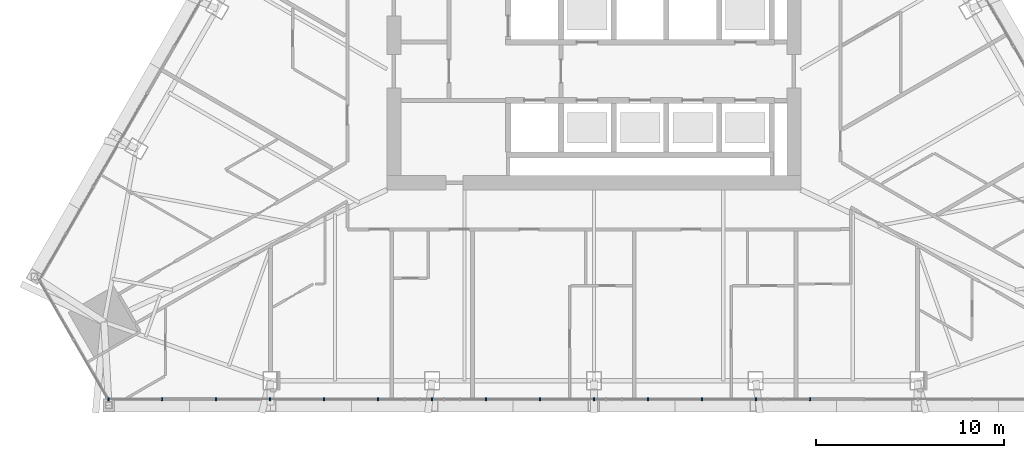
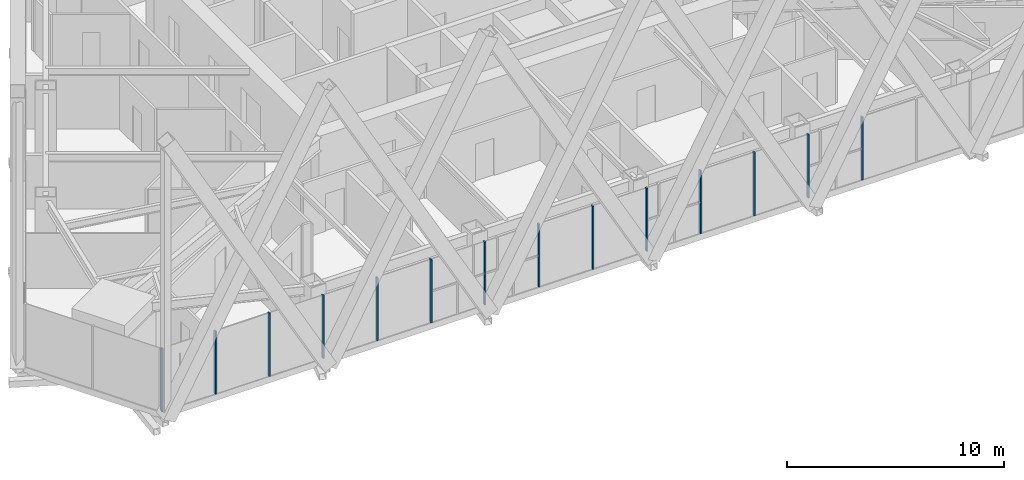
# One storey, part 3 of 23: 14 members, 2 openings, 1 element without a shape of its own.
"""IFC4 building model written with IfcOpenShell, lengths in metres."""

from ifc_helpers import new_model, si_unit, direction, frame, frame_2d, origin, origin_2d, place, context, subcontext, project, spatial, rectangle, extrude, material, layer, layer_set, material_profile, profile_set, type_object, element, aggregate, save


model = new_model("IFC4")

# Units and contexts
model_context = context("Model", 3, precision=1e-05, world=origin(), true_north=direction((0.0, 1.0)))
body_context = subcontext(model_context, "Body", "Model", "MODEL_VIEW")
ifc_project = project(units=[si_unit("LENGTHUNIT", "METRE"), si_unit("AREAUNIT", "SQUARE_METRE"), si_unit("VOLUMEUNIT", "CUBIC_METRE"), si_unit("PLANEANGLEUNIT", "RADIAN"), si_unit("MASSUNIT", "GRAM", prefix="KILO")], contexts=[model_context])

# Site, building, storey
site_placement = place(None, origin())
site = spatial("IfcSite", under=ifc_project, at=site_placement, CompositionType="ELEMENT")
building_placement = place(site_placement, origin())
building = spatial("IfcBuilding", under=site, at=building_placement, Name="Firuza Gate Tower and Library", CompositionType="ELEMENT")
storey_placement = place(building_placement, frame((0.0, 0.0, 202.60009765625)))
storey = spatial("IfcBuildingStorey", under=building, at=storey_placement, Name="L47", CompositionType="ELEMENT", Elevation=202.60009765625)

# Curtain wall, openings, members
ifc_material_1 = material(Name="Aluminium 6063-T6", Category="aluminium")
ifc_layer = layer(ifc_material_1, 0.14990234375)
ifc_layer_set = layer_set([ifc_layer], Name="Unitised curtain wall, hotel")
curtain_wall_type = type_object("IfcCurtainWallType", Name="Unitised curtain wall, hotel", PredefinedType="NOTDEFINED", material=ifc_layer_set)
curtain_wall_placement = place(storey_placement, origin())
curtain_wall = element("IfcCurtainWall", 1, at=curtain_wall_placement, inside=storey, type_object=curtain_wall_type, Name="CW2 L47 S face", PredefinedType="NOTDEFINED")
opening_1_placement = place(curtain_wall_placement, frame((52.0849609375, 55.88330078125, 0.14990234375), z_axis=(0.0, 0.0, 1.0), x_axis=(1.0, 0.0, 0.0)))
element("IfcOpeningElement", 2, at=opening_1_placement, cuts=curtain_wall, Name="Opening WD1-003", PredefinedType="OPENING", context=body_context, shape_type="SweptSolid", body=[
    extrude(rectangle(XDim=2.789306640625, YDim=3.550048828125, at=frame_2d((1.39453125, 1.77490234375))), frame((0.0, 0.0849609375, 0.0), z_axis=(0.0, -1.0, 0.0), x_axis=(1.0, 0.0, 0.0)), (0.0, 0.0, 1.0), 0.169921875),
])
opening_2_placement = place(curtain_wall_placement, frame((86.517578125, 55.88330078125, 0.14990234375), z_axis=(0.0, 0.0, 1.0), x_axis=(1.0, 0.0, 0.0)))
element("IfcOpeningElement", 3, at=opening_2_placement, cuts=curtain_wall, Name="Opening WD1-004", PredefinedType="OPENING", context=body_context, shape_type="SweptSolid", body=[
    extrude(rectangle(XDim=2.789306640625, YDim=3.550048828125, at=frame_2d((1.39453125, 1.77490234375))), frame((0.0, 0.0849609375, 0.0), z_axis=(0.0, -1.0, 0.0), x_axis=(1.0, 0.0, 0.0)), (0.0, 0.0, 1.0), 0.169921875),
])
ifc_material_2 = material(Name="Aluminium 6063-T6", Category="aluminium")
ifc_material_profile = material_profile(ifc_material_2, rectangle(XDim=0.14990234375, YDim=0.080078125, at=origin_2d()))
ifc_profile_set = profile_set([ifc_material_profile], Name="Aluminium 6063-T6")
member_type = type_object("IfcMemberType", Name="Curtain wall mullion 80x150", PredefinedType="MULLION", material=ifc_profile_set)
member_1_placement = place(storey_placement, frame((49.215576171875, 55.88330078125, 0.14990234375), z_axis=(0.0, 0.0, 1.0), x_axis=(0.0, 1.0, 0.0)))
member_1 = element("IfcMember", 4, at=member_1_placement, type_object=member_type, Name="Mullion", PredefinedType="MULLION", context=body_context, shape_type="SweptSolid", body=[
    extrude(rectangle(XDim=0.14990234375, YDim=0.080078125, at=origin_2d()), origin(), (0.0, 0.0, 1.0), 3.550048828125),
])
member_2_placement = place(storey_placement, frame((52.044921875, 55.88330078125, 0.14990234375), z_axis=(0.0, 0.0, 1.0), x_axis=(0.0, 1.0, 0.0)))
member_2 = element("IfcMember", 5, at=member_2_placement, type_object=member_type, Name="Mullion", PredefinedType="MULLION", context=body_context, shape_type="SweptSolid", body=[
    extrude(rectangle(XDim=0.14990234375, YDim=0.080078125, at=origin_2d()), origin(), (0.0, 0.0, 1.0), 3.550048828125),
])
member_3_placement = place(storey_placement, frame((54.914306640625, 55.88330078125, 0.14990234375), z_axis=(0.0, 0.0, 1.0), x_axis=(0.0, 1.0, 0.0)))
member_3 = element("IfcMember", 6, at=member_3_placement, type_object=member_type, Name="Mullion", PredefinedType="MULLION", context=body_context, shape_type="SweptSolid", body=[
    extrude(rectangle(XDim=0.14990234375, YDim=0.080078125, at=origin_2d()), origin(), (0.0, 0.0, 1.0), 3.550048828125),
])
member_4_placement = place(storey_placement, frame((57.78369140625, 55.88330078125, 0.14990234375), z_axis=(0.0, 0.0, 1.0), x_axis=(0.0, 1.0, 0.0)))
member_4 = element("IfcMember", 7, at=member_4_placement, type_object=member_type, Name="Mullion", PredefinedType="MULLION", context=body_context, shape_type="SweptSolid", body=[
    extrude(rectangle(XDim=0.14990234375, YDim=0.080078125, at=origin_2d()), origin(), (0.0, 0.0, 1.0), 3.550048828125),
])
member_5_placement = place(storey_placement, frame((60.653076171875, 55.88330078125, 0.14990234375), z_axis=(0.0, 0.0, 1.0), x_axis=(0.0, 1.0, 0.0)))
member_5 = element("IfcMember", 8, at=member_5_placement, type_object=member_type, Name="Mullion", PredefinedType="MULLION", context=body_context, shape_type="SweptSolid", body=[
    extrude(rectangle(XDim=0.14990234375, YDim=0.080078125, at=origin_2d()), origin(), (0.0, 0.0, 1.0), 3.550048828125),
])
member_6_placement = place(storey_placement, frame((63.5224609375, 55.88330078125, 0.14990234375), z_axis=(0.0, 0.0, 1.0), x_axis=(0.0, 1.0, 0.0)))
member_6 = element("IfcMember", 9, at=member_6_placement, type_object=member_type, Name="Mullion", PredefinedType="MULLION", context=body_context, shape_type="SweptSolid", body=[
    extrude(rectangle(XDim=0.14990234375, YDim=0.080078125, at=origin_2d()), origin(), (0.0, 0.0, 1.0), 3.550048828125),
])
member_7_placement = place(storey_placement, frame((66.391845703125, 55.88330078125, 0.14990234375), z_axis=(0.0, 0.0, 1.0), x_axis=(0.0, 1.0, 0.0)))
member_7 = element("IfcMember", 10, at=member_7_placement, type_object=member_type, Name="Mullion", PredefinedType="MULLION", context=body_context, shape_type="SweptSolid", body=[
    extrude(rectangle(XDim=0.14990234375, YDim=0.080078125, at=origin_2d()), origin(), (0.0, 0.0, 1.0), 3.550048828125),
])
member_8_placement = place(storey_placement, frame((69.26123046875, 55.88330078125, 0.14990234375), z_axis=(0.0, 0.0, 1.0), x_axis=(0.0, 1.0, 0.0)))
member_8 = element("IfcMember", 11, at=member_8_placement, type_object=member_type, Name="Mullion", PredefinedType="MULLION", context=body_context, shape_type="SweptSolid", body=[
    extrude(rectangle(XDim=0.14990234375, YDim=0.080078125, at=origin_2d()), origin(), (0.0, 0.0, 1.0), 3.550048828125),
])
member_9_placement = place(storey_placement, frame((72.130615234375, 55.88330078125, 0.14990234375), z_axis=(0.0, 0.0, 1.0), x_axis=(0.0, 1.0, 0.0)))
member_9 = element("IfcMember", 12, at=member_9_placement, type_object=member_type, Name="Mullion", PredefinedType="MULLION", context=body_context, shape_type="SweptSolid", body=[
    extrude(rectangle(XDim=0.14990234375, YDim=0.080078125, at=origin_2d()), origin(), (0.0, 0.0, 1.0), 3.550048828125),
])
member_10_placement = place(storey_placement, frame((75.0, 55.88330078125, 0.14990234375), z_axis=(0.0, 0.0, 1.0), x_axis=(0.0, 1.0, 0.0)))
member_10 = element("IfcMember", 13, at=member_10_placement, type_object=member_type, Name="Mullion", PredefinedType="MULLION", context=body_context, shape_type="SweptSolid", body=[
    extrude(rectangle(XDim=0.14990234375, YDim=0.080078125, at=origin_2d()), origin(), (0.0, 0.0, 1.0), 3.550048828125),
])
member_11_placement = place(storey_placement, frame((77.869384765625, 55.88330078125, 0.14990234375), z_axis=(0.0, 0.0, 1.0), x_axis=(0.0, 1.0, 0.0)))
member_11 = element("IfcMember", 14, at=member_11_placement, type_object=member_type, Name="Mullion", PredefinedType="MULLION", context=body_context, shape_type="SweptSolid", body=[
    extrude(rectangle(XDim=0.14990234375, YDim=0.080078125, at=origin_2d()), origin(), (0.0, 0.0, 1.0), 3.550048828125),
])
member_12_placement = place(storey_placement, frame((80.73876953125, 55.88330078125, 0.14990234375), z_axis=(0.0, 0.0, 1.0), x_axis=(0.0, 1.0, 0.0)))
member_12 = element("IfcMember", 15, at=member_12_placement, type_object=member_type, Name="Mullion", PredefinedType="MULLION", context=body_context, shape_type="SweptSolid", body=[
    extrude(rectangle(XDim=0.14990234375, YDim=0.080078125, at=origin_2d()), origin(), (0.0, 0.0, 1.0), 3.550048828125),
])
member_13_placement = place(storey_placement, frame((83.608154296875, 55.88330078125, 0.14990234375), z_axis=(0.0, 0.0, 1.0), x_axis=(0.0, 1.0, 0.0)))
member_13 = element("IfcMember", 16, at=member_13_placement, type_object=member_type, Name="Mullion", PredefinedType="MULLION", context=body_context, shape_type="SweptSolid", body=[
    extrude(rectangle(XDim=0.14990234375, YDim=0.080078125, at=origin_2d()), origin(), (0.0, 0.0, 1.0), 3.550048828125),
])
member_14_placement = place(storey_placement, frame((86.4775390625, 55.88330078125, 0.14990234375), z_axis=(0.0, 0.0, 1.0), x_axis=(0.0, 1.0, 0.0)))
member_14 = element("IfcMember", 17, at=member_14_placement, type_object=member_type, Name="Mullion", PredefinedType="MULLION", context=body_context, shape_type="SweptSolid", body=[
    extrude(rectangle(XDim=0.14990234375, YDim=0.080078125, at=origin_2d()), origin(), (0.0, 0.0, 1.0), 3.550048828125),
])
aggregate(curtain_wall, [member_1, member_2, member_3, member_4, member_5, member_6, member_7, member_8, member_9, member_10, member_11, member_12, member_13, member_14])

save(model, "model.ifc")
